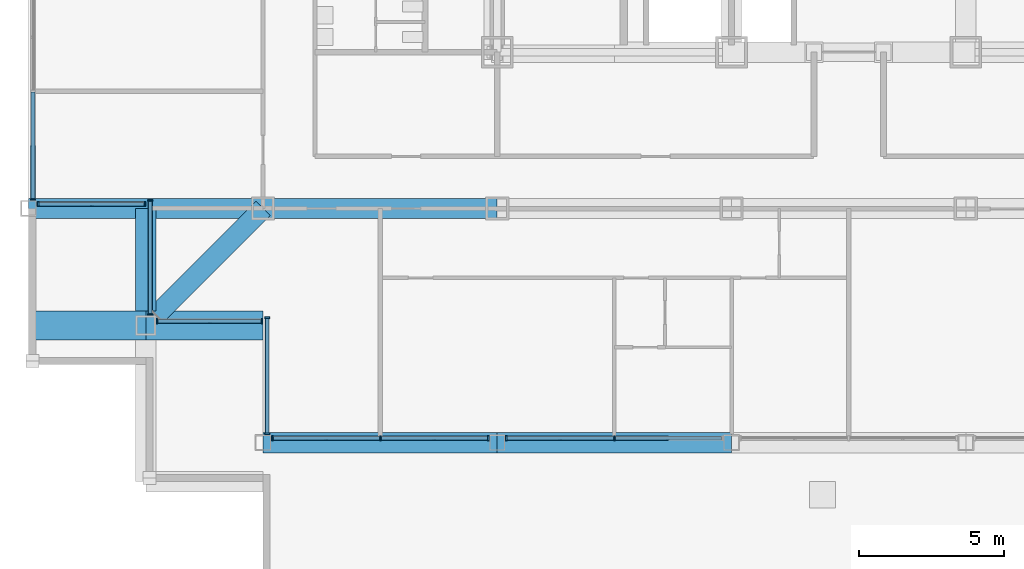
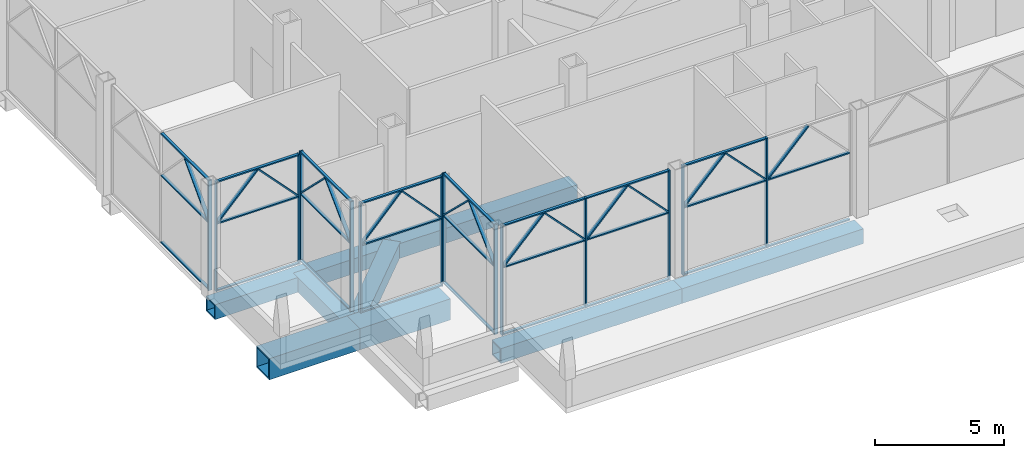
# One storey, part 2 of 29: 56 members, 8 beams, 7 elements without a shape of their own.
"""IFC4 building model written with IfcOpenShell, lengths in metres."""

from ifc_helpers import new_model, si_unit, direction, frame, origin, origin_2d, place, context, subcontext, project, spatial, rectangle, hollow_rectangle, extrude, material, material_profile, profile_set, type_object, element, aggregate, save


model = new_model("IFC4")

# Units and contexts
model_context = context("Model", 3, precision=1e-05, world=origin(), true_north=direction((0.0, 1.0)))
body_context = subcontext(model_context, "Body", "Model", "MODEL_VIEW")
ifc_project = project(units=[si_unit("LENGTHUNIT", "METRE"), si_unit("AREAUNIT", "SQUARE_METRE"), si_unit("VOLUMEUNIT", "CUBIC_METRE"), si_unit("PLANEANGLEUNIT", "RADIAN"), si_unit("MASSUNIT", "GRAM", prefix="KILO")], contexts=[model_context])

# Site, building, storey
site_placement = place(None, origin())
site = spatial("IfcSite", under=ifc_project, at=site_placement, CompositionType="ELEMENT")
building_placement = place(site_placement, origin())
building = spatial("IfcBuilding", under=site, at=building_placement, Name="Kopane Lantern Tower", CompositionType="ELEMENT")
storey_placement = place(building_placement, frame((0.0, 0.0, 165.0)))
storey = spatial("IfcBuildingStorey", under=building, at=storey_placement, Name="L42", CompositionType="ELEMENT", Elevation=165.0)

# Beams
ifc_material_1 = material(Name="Steel S355JR", Category="steel")
ifc_material_profile_1 = material_profile(ifc_material_1, hollow_rectangle(XDim=0.699951171875, YDim=0.699951171875, WallThickness=0.06005859375, at=origin_2d()), Name="BOX 700x700x60")
ifc_profile_set_1 = profile_set([ifc_material_profile_1], Name="Steel S355JR")
beam_type_1 = type_object("IfcBeamType", Name="CORNER TIE BEAM BOX 700x700x60", PredefinedType="BEAM", material=ifc_profile_set_1)
beam_1_placement = place(storey_placement, frame((4.403564453125, 15.20361328125, -0.60009765625), z_axis=(0.707130132301, 0.707083429301, 0.0), x_axis=(-0.707083429301, 0.707130132301, 0.0)))
element("IfcBeam", 1, at=beam_1_placement, inside=storey, type_object=beam_type_1, Name="Corner Tie Beam L42", PredefinedType="BEAM", context=body_context, shape_type="SweptSolid", body=[
    extrude(hollow_rectangle(XDim=0.699951171875, YDim=0.699951171875, WallThickness=0.06005859375, at=origin_2d()), origin(), (0.0, 0.0, 1.0), 5.2275390625),
])
ifc_material_2 = material(Name="Steel S355JR", Category="steel")
ifc_material_profile_2 = material_profile(ifc_material_2, hollow_rectangle(XDim=0.699951171875, YDim=0.699951171875, WallThickness=0.06005859375, at=origin_2d()), Name="BOX 700x700x60")
ifc_profile_set_2 = profile_set([ifc_material_profile_2], Name="Steel S355JR")
beam_type_2 = type_object("IfcBeamType", Name="EDGE BEAM BOX 700x700x60", PredefinedType="BEAM", material=ifc_profile_set_2)
beam_2_placement = place(storey_placement, frame((4.050048828125, 15.35009765625, -0.60009765625), z_axis=(0.0, 1.0, 0.0), x_axis=(-1.0, 0.0, 0.0)))
element("IfcBeam", 2, at=beam_2_placement, inside=storey, type_object=beam_type_2, Name="Edge Beam L42", PredefinedType="BEAM", context=body_context, shape_type="SweptSolid", body=[
    extrude(hollow_rectangle(XDim=0.699951171875, YDim=0.699951171875, WallThickness=0.06005859375, at=origin_2d()), origin(), (0.0, 0.0, 1.0), 3.5498046875),
])
ifc_material_3 = material(Name="Steel S355JR", Category="steel")
ifc_material_profile_3 = material_profile(ifc_material_3, hollow_rectangle(XDim=0.699951171875, YDim=0.699951171875, WallThickness=0.06005859375, at=origin_2d()), Name="BOX 700x700x60")
ifc_profile_set_3 = profile_set([ifc_material_profile_3], Name="Steel S355JR")
beam_type_3 = type_object("IfcBeamType", Name="GIRDER BOX 700x700x60", PredefinedType="BEAM", material=ifc_profile_set_3)
beam_3_placement = place(storey_placement, frame((0.0, 18.89990234375, -0.60009765625), z_axis=(1.0, 0.0, 0.0), x_axis=(0.0, 1.0, 0.0)))
element("IfcBeam", 3, at=beam_3_placement, inside=storey, type_object=beam_type_3, Name="Girder L42", PredefinedType="BEAM", context=body_context, shape_type="SweptSolid", body=[
    extrude(hollow_rectangle(XDim=0.699951171875, YDim=0.699951171875, WallThickness=0.06005859375, at=origin_2d()), origin(), (0.0, 0.0, 1.0), 8.10009765625),
])
for number, where, z_axis, x_axis, name in (
    (4, (8.10009765625, 10.800048828125, -0.60009765625), (1.0, 0.0, 0.0), (0.0, 1.0, 0.0), "Girder L42"),
    (5, (8.10009765625, 18.89990234375, -0.60009765625), (1.0, 0.0, 0.0), (0.0, 1.0, 0.0), "Girder L42"),
):
    element("IfcBeam", number, at=place(storey_placement, frame(where, z_axis=z_axis, x_axis=x_axis)), inside=storey, type_object=beam_type_3, Name=name, PredefinedType="BEAM", context=body_context, shape_type="SweptSolid", body=[
        extrude(hollow_rectangle(XDim=0.699951171875, YDim=0.699951171875, WallThickness=0.06005859375, at=origin_2d()), origin(), (0.0, 0.0, 1.0), 8.099853515625),
    ])
beam_4_placement = place(storey_placement, frame((16.199951171875, 10.800048828125, -0.60009765625), z_axis=(1.0, 0.0, 0.0), x_axis=(0.0, 1.0, 0.0)))
element("IfcBeam", 6, at=beam_4_placement, inside=storey, type_object=beam_type_3, Name="Girder L42", PredefinedType="BEAM", context=body_context, shape_type="SweptSolid", body=[
    extrude(hollow_rectangle(XDim=0.699951171875, YDim=0.699951171875, WallThickness=0.06005859375, at=origin_2d()), origin(), (0.0, 0.0, 1.0), 8.10009765625),
])

# Curtain wall, members
ifc_material_4 = material(Name="Aluminium and clear glass", Category="aluminium")
curtain_wall_type = type_object("IfcCurtainWallType", Name="CURTAIN WALL CW4 RESIDENCES LOBBY", PredefinedType="USERDEFINED", material=ifc_material_4)
curtain_wall_1_placement = place(storey_placement, origin())
curtain_wall_1 = element("IfcCurtainWall", 7, at=curtain_wall_1_placement, inside=storey, type_object=curtain_wall_type, Name="Curtain wall CW4 S L42", ObjectType="CURTAIN WALL", PredefinedType="USERDEFINED")
ifc_material_5 = material(Name="Aluminium", Category="aluminium")
ifc_material_profile_4 = material_profile(ifc_material_5, rectangle(XDim=0.06005859375, YDim=0.1650390625, at=origin_2d()), Name="AL 60x165")
ifc_profile_set_4 = profile_set([ifc_material_profile_4], Name="Aluminium")
member_type_1 = type_object("IfcMemberType", Name="MULLION CW4-M 60x165", PredefinedType="MULLION", material=ifc_profile_set_4)
member_1_placement = place(storey_placement, frame((8.429931640625, 10.949951171875, 0.0), z_axis=(0.0, 0.0, 1.0), x_axis=(1.0, 0.0, 0.0)))
member_1 = element("IfcMember", 8, at=member_1_placement, type_object=member_type_1, Name="CW4 mullion 1", PredefinedType="MULLION", context=body_context, shape_type="SweptSolid", body=[
    extrude(rectangle(XDim=0.06005859375, YDim=0.1650390625, at=origin_2d()), origin(), (0.0, 0.0, 1.0), 5.18994140625),
])
member_2_placement = place(storey_placement, frame((12.159912109375, 10.949951171875, 0.0), z_axis=(0.0, 0.0, 1.0), x_axis=(1.0, 0.0, 0.0)))
member_2 = element("IfcMember", 9, at=member_2_placement, type_object=member_type_1, Name="CW4 mullion 2", PredefinedType="MULLION", context=body_context, shape_type="SweptSolid", body=[
    extrude(rectangle(XDim=0.06005859375, YDim=0.1650390625, at=origin_2d()), origin(), (0.0, 0.0, 1.0), 5.18994140625),
])
member_3_placement = place(storey_placement, frame((15.889892578125, 10.949951171875, 0.0), z_axis=(0.0, 0.0, 1.0), x_axis=(1.0, 0.0, 0.0)))
member_3 = element("IfcMember", 10, at=member_3_placement, type_object=member_type_1, Name="CW4 mullion 3", PredefinedType="MULLION", context=body_context, shape_type="SweptSolid", body=[
    extrude(rectangle(XDim=0.06005859375, YDim=0.1650390625, at=origin_2d()), origin(), (0.0, 0.0, 1.0), 5.18994140625),
])
member_4_placement = place(storey_placement, frame((8.481689453125, 10.949951171875, 3.24072265625), z_axis=(0.69209585032, 0.0, 0.721805606773), x_axis=(-0.721805606773, 0.0, 0.69209585032)))
member_4 = element("IfcMember", 11, at=member_4_placement, type_object=member_type_1, Name="CW4 lancet mullion 1L", PredefinedType="MULLION", context=body_context, shape_type="SweptSolid", body=[
    extrude(rectangle(XDim=0.06005859375, YDim=0.1650390625, at=origin_2d()), origin(), (0.0, 0.0, 1.0), 2.588623046875),
])
member_5_placement = place(storey_placement, frame((12.1083984375, 10.949951171875, 3.24072265625), z_axis=(-0.692144984818, 0.0, 0.721758491458), x_axis=(0.721758491458, 0.0, 0.692144984818)))
member_5 = element("IfcMember", 12, at=member_5_placement, type_object=member_type_1, Name="CW4 lancet mullion 1R", PredefinedType="MULLION", context=body_context, shape_type="SweptSolid", body=[
    extrude(rectangle(XDim=0.06005859375, YDim=0.1650390625, at=origin_2d()), origin(), (0.0, 0.0, 1.0), 2.588623046875),
])
member_6_placement = place(storey_placement, frame((12.211669921875, 10.949951171875, 3.24072265625), z_axis=(0.692144984818, 0.0, 0.721758491458), x_axis=(-0.721758491458, 0.0, 0.692144984818)))
member_6 = element("IfcMember", 13, at=member_6_placement, type_object=member_type_1, Name="CW4 lancet mullion 2L", PredefinedType="MULLION", context=body_context, shape_type="SweptSolid", body=[
    extrude(rectangle(XDim=0.06005859375, YDim=0.1650390625, at=origin_2d()), origin(), (0.0, 0.0, 1.0), 2.588623046875),
])
member_7_placement = place(storey_placement, frame((15.83837890625, 10.949951171875, 3.24072265625), z_axis=(-0.692144984818, 0.0, 0.721758491458), x_axis=(0.721758491458, 0.0, 0.692144984818)))
member_7 = element("IfcMember", 14, at=member_7_placement, type_object=member_type_1, Name="CW4 lancet mullion 2R", PredefinedType="MULLION", context=body_context, shape_type="SweptSolid", body=[
    extrude(rectangle(XDim=0.06005859375, YDim=0.1650390625, at=origin_2d()), origin(), (0.0, 0.0, 1.0), 2.588623046875),
])

curtain_wall_2_placement = place(storey_placement, origin())
curtain_wall_2 = element("IfcCurtainWall", 15, at=curtain_wall_2_placement, inside=storey, type_object=curtain_wall_type, Name="Curtain wall CW4 S L42", ObjectType="CURTAIN WALL", PredefinedType="USERDEFINED")
member_8_placement = place(storey_placement, frame((16.510009765625, 10.949951171875, 0.0), z_axis=(0.0, 0.0, 1.0), x_axis=(1.0, 0.0, 0.0)))
member_8 = element("IfcMember", 16, at=member_8_placement, type_object=member_type_1, Name="CW4 mullion 1", PredefinedType="MULLION", context=body_context, shape_type="SweptSolid", body=[
    extrude(rectangle(XDim=0.06005859375, YDim=0.1650390625, at=origin_2d()), origin(), (0.0, 0.0, 1.0), 5.18994140625),
])
member_9_placement = place(storey_placement, frame((20.25, 10.949951171875, 0.0), z_axis=(0.0, 0.0, 1.0), x_axis=(1.0, 0.0, 0.0)))
member_9 = element("IfcMember", 17, at=member_9_placement, type_object=member_type_1, Name="CW4 mullion 2", PredefinedType="MULLION", context=body_context, shape_type="SweptSolid", body=[
    extrude(rectangle(XDim=0.06005859375, YDim=0.1650390625, at=origin_2d()), origin(), (0.0, 0.0, 1.0), 5.18994140625),
])
member_10_placement = place(storey_placement, frame((16.5615234375, 10.949951171875, 3.24072265625), z_axis=(0.693174589614, 0.0, 0.720769719337), x_axis=(-0.720769719337, 0.0, 0.693174589614)))
member_10 = element("IfcMember", 18, at=member_10_placement, type_object=member_type_1, Name="CW4 lancet mullion 1L", PredefinedType="MULLION", context=body_context, shape_type="SweptSolid", body=[
    extrude(rectangle(XDim=0.06005859375, YDim=0.1650390625, at=origin_2d()), origin(), (0.0, 0.0, 1.0), 2.59228515625),
])
member_11_placement = place(storey_placement, frame((20.198486328125, 10.949951171875, 3.24072265625), z_axis=(-0.693174589614, 0.0, 0.720769719337), x_axis=(0.720769719337, 0.0, 0.693174589614)))
member_11 = element("IfcMember", 19, at=member_11_placement, type_object=member_type_1, Name="CW4 lancet mullion 1R", PredefinedType="MULLION", context=body_context, shape_type="SweptSolid", body=[
    extrude(rectangle(XDim=0.06005859375, YDim=0.1650390625, at=origin_2d()), origin(), (0.0, 0.0, 1.0), 2.59228515625),
])
member_12_placement = place(storey_placement, frame((20.301513671875, 10.949951171875, 3.24072265625), z_axis=(0.693174589614, 0.0, 0.720769719337), x_axis=(-0.720769719337, 0.0, 0.693174589614)))
member_12 = element("IfcMember", 20, at=member_12_placement, type_object=member_type_1, Name="CW4 lancet mullion 2L", PredefinedType="MULLION", context=body_context, shape_type="SweptSolid", body=[
    extrude(rectangle(XDim=0.06005859375, YDim=0.1650390625, at=origin_2d()), origin(), (0.0, 0.0, 1.0), 2.59228515625),
])

curtain_wall_3_placement = place(storey_placement, origin())
curtain_wall_3 = element("IfcCurtainWall", 21, at=curtain_wall_3_placement, inside=storey, type_object=curtain_wall_type, Name="Curtain wall CW4 W L42", ObjectType="CURTAIN WALL", PredefinedType="USERDEFINED")
member_13_placement = place(storey_placement, frame((0.14990234375, 19.2099609375, 0.0), z_axis=(0.0, 0.0, 1.0), x_axis=(0.0, -1.0, 0.0)))
member_13 = element("IfcMember", 22, at=member_13_placement, type_object=member_type_1, Name="CW4 mullion 3", PredefinedType="MULLION", context=body_context, shape_type="SweptSolid", body=[
    extrude(rectangle(XDim=0.06005859375, YDim=0.1650390625, at=origin_2d()), origin(), (0.0, 0.0, 1.0), 5.18994140625),
])
member_14_placement = place(storey_placement, frame((0.14990234375, 19.26171875, 3.24072265625), z_axis=(0.0, 0.693125656775, 0.720816775554), x_axis=(0.0, -0.720816775554, 0.693125656775)))
member_14 = element("IfcMember", 23, at=member_14_placement, type_object=member_type_1, Name="CW4 lancet mullion 2R", PredefinedType="MULLION", context=body_context, shape_type="SweptSolid", body=[
    extrude(rectangle(XDim=0.06005859375, YDim=0.1650390625, at=origin_2d()), origin(), (0.0, 0.0, 1.0), 2.592041015625),
])

curtain_wall_4_placement = place(storey_placement, origin())
curtain_wall_4 = element("IfcCurtainWall", 24, at=curtain_wall_4_placement, inside=storey, type_object=curtain_wall_type, Name="Curtain wall CW4 S L42", ObjectType="CURTAIN WALL", PredefinedType="USERDEFINED")
member_15_placement = place(storey_placement, frame((0.330078125, 19.050048828125, 0.0), z_axis=(0.0, 0.0, 1.0), x_axis=(1.0, 0.0, 0.0)))
member_15 = element("IfcMember", 25, at=member_15_placement, type_object=member_type_1, Name="CW4 mullion 1", PredefinedType="MULLION", context=body_context, shape_type="SweptSolid", body=[
    extrude(rectangle(XDim=0.06005859375, YDim=0.1650390625, at=origin_2d()), origin(), (0.0, 0.0, 1.0), 5.18994140625),
])
member_16_placement = place(storey_placement, frame((4.02001953125, 19.050048828125, 0.0), z_axis=(0.0, 0.0, 1.0), x_axis=(1.0, 0.0, 0.0)))
member_16 = element("IfcMember", 26, at=member_16_placement, type_object=member_type_1, Name="CW4 mullion 2", PredefinedType="MULLION", context=body_context, shape_type="SweptSolid", body=[
    extrude(rectangle(XDim=0.06005859375, YDim=0.1650390625, at=origin_2d()), origin(), (0.0, 0.0, 1.0), 5.18994140625),
])
member_17_placement = place(storey_placement, frame((0.3818359375, 19.050048828125, 3.240478515625), z_axis=(0.687939225312, 0.0, 0.725768297928), x_axis=(-0.725768297928, 0.0, 0.687939225312)))
member_17 = element("IfcMember", 27, at=member_17_placement, type_object=member_type_1, Name="CW4 lancet mullion 1L", PredefinedType="MULLION", context=body_context, shape_type="SweptSolid", body=[
    extrude(rectangle(XDim=0.06005859375, YDim=0.1650390625, at=origin_2d()), origin(), (0.0, 0.0, 1.0), 2.574951171875),
])
member_18_placement = place(storey_placement, frame((3.96826171875, 19.050048828125, 3.240478515625), z_axis=(-0.687939225312, 0.0, 0.725768297928), x_axis=(0.725768297928, 0.0, 0.687939225312)))
member_18 = element("IfcMember", 28, at=member_18_placement, type_object=member_type_1, Name="CW4 lancet mullion 1R", PredefinedType="MULLION", context=body_context, shape_type="SweptSolid", body=[
    extrude(rectangle(XDim=0.06005859375, YDim=0.1650390625, at=origin_2d()), origin(), (0.0, 0.0, 1.0), 2.574951171875),
])

curtain_wall_5_placement = place(storey_placement, origin())
curtain_wall_5 = element("IfcCurtainWall", 29, at=curtain_wall_5_placement, inside=storey, type_object=curtain_wall_type, Name="Curtain wall CW4 W L42", ObjectType="CURTAIN WALL", PredefinedType="USERDEFINED")
member_19_placement = place(storey_placement, frame((4.199951171875, 19.169921875, 0.0), z_axis=(0.0, 0.0, 1.0), x_axis=(0.0, -1.0, 0.0)))
member_19 = element("IfcMember", 30, at=member_19_placement, type_object=member_type_1, Name="CW4 mullion 1", PredefinedType="MULLION", context=body_context, shape_type="SweptSolid", body=[
    extrude(rectangle(XDim=0.06005859375, YDim=0.1650390625, at=origin_2d()), origin(), (0.0, 0.0, 1.0), 5.18994140625),
])
member_20_placement = place(storey_placement, frame((4.199951171875, 15.235107421875, 0.0), z_axis=(0.0, 0.0, 1.0), x_axis=(0.0, -1.0, 0.0)))
member_20 = element("IfcMember", 31, at=member_20_placement, type_object=member_type_1, Name="CW4 mullion 2", PredefinedType="MULLION", context=body_context, shape_type="SweptSolid", body=[
    extrude(rectangle(XDim=0.06005859375, YDim=0.1650390625, at=origin_2d()), origin(), (0.0, 0.0, 1.0), 5.18994140625),
])
member_21_placement = place(storey_placement, frame((4.199951171875, 19.118896484375, 3.241455078125), z_axis=(0.0, -0.712363521538, 0.701810667618), x_axis=(0.0, 0.701810667618, 0.712363521538)))
member_21 = element("IfcMember", 32, at=member_21_placement, type_object=member_type_1, Name="CW4 lancet mullion 1L", PredefinedType="MULLION", context=body_context, shape_type="SweptSolid", body=[
    extrude(rectangle(XDim=0.06005859375, YDim=0.1650390625, at=origin_2d()), origin(), (0.0, 0.0, 1.0), 2.66064453125),
])
member_22_placement = place(storey_placement, frame((4.199951171875, 15.2861328125, 3.241455078125), z_axis=(0.0, 0.712363521538, 0.701810667618), x_axis=(0.0, -0.701810667618, 0.712363521538)))
member_22 = element("IfcMember", 33, at=member_22_placement, type_object=member_type_1, Name="CW4 lancet mullion 1R", PredefinedType="MULLION", context=body_context, shape_type="SweptSolid", body=[
    extrude(rectangle(XDim=0.06005859375, YDim=0.1650390625, at=origin_2d()), origin(), (0.0, 0.0, 1.0), 2.66064453125),
])

curtain_wall_6_placement = place(storey_placement, origin())
curtain_wall_6 = element("IfcCurtainWall", 34, at=curtain_wall_6_placement, inside=storey, type_object=curtain_wall_type, Name="Curtain wall CW4 S L42", ObjectType="CURTAIN WALL", PredefinedType="USERDEFINED")
member_23_placement = place(storey_placement, frame((4.43505859375, 15.0, 0.0), z_axis=(0.0, 0.0, 1.0), x_axis=(1.0, 0.0, 0.0)))
member_23 = element("IfcMember", 35, at=member_23_placement, type_object=member_type_1, Name="CW4 mullion 1", PredefinedType="MULLION", context=body_context, shape_type="SweptSolid", body=[
    extrude(rectangle(XDim=0.06005859375, YDim=0.1650390625, at=origin_2d()), origin(), (0.0, 0.0, 1.0), 5.18994140625),
])
member_24_placement = place(storey_placement, frame((8.070068359375, 15.0, 0.0), z_axis=(0.0, 0.0, 1.0), x_axis=(1.0, 0.0, 0.0)))
member_24 = element("IfcMember", 36, at=member_24_placement, type_object=member_type_1, Name="CW4 mullion 2", PredefinedType="MULLION", context=body_context, shape_type="SweptSolid", body=[
    extrude(rectangle(XDim=0.06005859375, YDim=0.1650390625, at=origin_2d()), origin(), (0.0, 0.0, 1.0), 5.18994140625),
])
member_25_placement = place(storey_placement, frame((4.48681640625, 15.0, 3.240478515625), z_axis=(0.68218553157, 0.0, 0.731179116576), x_axis=(-0.731179116576, 0.0, 0.68218553157)))
member_25 = element("IfcMember", 37, at=member_25_placement, type_object=member_type_1, Name="CW4 lancet mullion 1L", PredefinedType="MULLION", context=body_context, shape_type="SweptSolid", body=[
    extrude(rectangle(XDim=0.06005859375, YDim=0.1650390625, at=origin_2d()), origin(), (0.0, 0.0, 1.0), 2.556396484375),
])
member_26_placement = place(storey_placement, frame((8.01806640625, 15.0, 3.240478515625), z_axis=(-0.68213446792, 0.0, 0.731226755306), x_axis=(0.731226755306, 0.0, 0.68213446792)))
member_26 = element("IfcMember", 38, at=member_26_placement, type_object=member_type_1, Name="CW4 lancet mullion 1R", PredefinedType="MULLION", context=body_context, shape_type="SweptSolid", body=[
    extrude(rectangle(XDim=0.06005859375, YDim=0.1650390625, at=origin_2d()), origin(), (0.0, 0.0, 1.0), 2.55615234375),
])

curtain_wall_7_placement = place(storey_placement, origin())
curtain_wall_7 = element("IfcCurtainWall", 39, at=curtain_wall_7_placement, inside=storey, type_object=curtain_wall_type, Name="Curtain wall CW4 W L42", ObjectType="CURTAIN WALL", PredefinedType="USERDEFINED")
member_27_placement = place(storey_placement, frame((8.25, 15.1201171875, 0.0), z_axis=(0.0, 0.0, 1.0), x_axis=(0.0, -1.0, 0.0)))
member_27 = element("IfcMember", 40, at=member_27_placement, type_object=member_type_1, Name="CW4 mullion 1", PredefinedType="MULLION", context=body_context, shape_type="SweptSolid", body=[
    extrude(rectangle(XDim=0.06005859375, YDim=0.1650390625, at=origin_2d()), origin(), (0.0, 0.0, 1.0), 5.18994140625),
])
member_28_placement = place(storey_placement, frame((8.25, 11.110107421875, 0.0), z_axis=(0.0, 0.0, 1.0), x_axis=(0.0, -1.0, 0.0)))
member_28 = element("IfcMember", 41, at=member_28_placement, type_object=member_type_1, Name="CW4 mullion 2", PredefinedType="MULLION", context=body_context, shape_type="SweptSolid", body=[
    extrude(rectangle(XDim=0.06005859375, YDim=0.1650390625, at=origin_2d()), origin(), (0.0, 0.0, 1.0), 5.18994140625),
])
member_29_placement = place(storey_placement, frame((8.25, 15.069091796875, 3.24169921875), z_axis=(0.0, -0.719398329966, 0.694597756146), x_axis=(0.0, 0.694597756146, 0.719398329966)))
member_29 = element("IfcMember", 42, at=member_29_placement, type_object=member_type_1, Name="CW4 lancet mullion 1L", PredefinedType="MULLION", context=body_context, shape_type="SweptSolid", body=[
    extrude(rectangle(XDim=0.06005859375, YDim=0.1650390625, at=origin_2d()), origin(), (0.0, 0.0, 1.0), 2.6875),
])
member_30_placement = place(storey_placement, frame((8.25, 11.160888671875, 3.24169921875), z_axis=(0.0, 0.719398329966, 0.694597756146), x_axis=(0.0, -0.694597756146, 0.719398329966)))
member_30 = element("IfcMember", 43, at=member_30_placement, type_object=member_type_1, Name="CW4 lancet mullion 1R", PredefinedType="MULLION", context=body_context, shape_type="SweptSolid", body=[
    extrude(rectangle(XDim=0.06005859375, YDim=0.1650390625, at=origin_2d()), origin(), (0.0, 0.0, 1.0), 2.6875),
])

# Beams
ifc_material_6 = material(Name="Steel S355JR", Category="steel")
ifc_material_profile_5 = material_profile(ifc_material_6, hollow_rectangle(XDim=1.0, YDim=1.0, WallThickness=0.06005859375, at=origin_2d()), Name="BOX 1000x1000x60")
ifc_profile_set_5 = profile_set([ifc_material_profile_5], Name="Steel S355JR")
beam_type_4 = type_object("IfcBeamType", Name="TRANSFER BEAM BOX 1000x1000x60", PredefinedType="BEAM", material=ifc_profile_set_5)
for number, where, z_axis, x_axis, name in (
    (44, (0.0, 14.85009765625, -0.75), (1.0, 0.0, 0.0), (0.0, 1.0, 0.0), "Transfer Beam L42"),
    (45, (4.050048828125, 14.85009765625, -0.75), (1.0, 0.0, 0.0), (0.0, 1.0, 0.0), "Transfer Beam L42"),
):
    element("IfcBeam", number, at=place(storey_placement, frame(where, z_axis=z_axis, x_axis=x_axis)), inside=storey, type_object=beam_type_4, Name=name, PredefinedType="BEAM", context=body_context, shape_type="SweptSolid", body=[
        extrude(hollow_rectangle(XDim=1.0, YDim=1.0, WallThickness=0.06005859375, at=origin_2d()), origin(), (0.0, 0.0, 1.0), 4.050048828125),
    ])

# Member
ifc_material_7 = material(Name="Aluminium", Category="aluminium")
ifc_material_profile_6 = material_profile(ifc_material_7, rectangle(XDim=0.125, YDim=0.06005859375, at=origin_2d()), Name="AL 125x60")
ifc_profile_set_6 = profile_set([ifc_material_profile_6], Name="Aluminium")
member_type_2 = type_object("IfcMemberType", Name="TRANSOM CW4-T 60x125", PredefinedType="USERDEFINED", material=ifc_profile_set_6)
member_31_placement = place(storey_placement, frame((8.4599609375, 10.949951171875, 0.030029296875), z_axis=(1.0, 0.0, 0.0), x_axis=(0.0, 1.0, 0.0)))
member_31 = element("IfcMember", 46, at=member_31_placement, type_object=member_type_2, Name="CW4 transom 1.1", ObjectType="TRANSOM", PredefinedType="USERDEFINED", context=body_context, shape_type="SweptSolid", body=[
    extrude(rectangle(XDim=0.125, YDim=0.06005859375, at=origin_2d()), origin(), (0.0, 0.0, 1.0), 3.669921875),
])

member_32_placement = place(storey_placement, frame((8.4599609375, 10.949951171875, 3.18994140625), z_axis=(1.0, 0.0, 0.0), x_axis=(0.0, 1.0, 0.0)))
member_32 = element("IfcMember", 47, at=member_32_placement, type_object=member_type_2, Name="CW4 transom 1.2", ObjectType="TRANSOM", PredefinedType="USERDEFINED", context=body_context, shape_type="SweptSolid", body=[
    extrude(rectangle(XDim=0.125, YDim=0.06005859375, at=origin_2d()), origin(), (0.0, 0.0, 1.0), 3.669921875),
])

member_33_placement = place(storey_placement, frame((8.4599609375, 10.949951171875, 5.159912109375), z_axis=(1.0, 0.0, 0.0), x_axis=(0.0, 1.0, 0.0)))
member_33 = element("IfcMember", 48, at=member_33_placement, type_object=member_type_2, Name="CW4 transom 1.3", ObjectType="TRANSOM", PredefinedType="USERDEFINED", context=body_context, shape_type="SweptSolid", body=[
    extrude(rectangle(XDim=0.125, YDim=0.06005859375, at=origin_2d()), origin(), (0.0, 0.0, 1.0), 3.669921875),
])

member_34_placement = place(storey_placement, frame((12.18994140625, 10.949951171875, 0.030029296875), z_axis=(1.0, 0.0, 0.0), x_axis=(0.0, 1.0, 0.0)))
member_34 = element("IfcMember", 49, at=member_34_placement, type_object=member_type_2, Name="CW4 transom 2.1", ObjectType="TRANSOM", PredefinedType="USERDEFINED", context=body_context, shape_type="SweptSolid", body=[
    extrude(rectangle(XDim=0.125, YDim=0.06005859375, at=origin_2d()), origin(), (0.0, 0.0, 1.0), 3.670166015625),
])

member_35_placement = place(storey_placement, frame((12.18994140625, 10.949951171875, 3.18994140625), z_axis=(1.0, 0.0, 0.0), x_axis=(0.0, 1.0, 0.0)))
member_35 = element("IfcMember", 50, at=member_35_placement, type_object=member_type_2, Name="CW4 transom 2.2", ObjectType="TRANSOM", PredefinedType="USERDEFINED", context=body_context, shape_type="SweptSolid", body=[
    extrude(rectangle(XDim=0.125, YDim=0.06005859375, at=origin_2d()), origin(), (0.0, 0.0, 1.0), 3.670166015625),
])

member_36_placement = place(storey_placement, frame((12.18994140625, 10.949951171875, 5.159912109375), z_axis=(1.0, 0.0, 0.0), x_axis=(0.0, 1.0, 0.0)))
member_36 = element("IfcMember", 51, at=member_36_placement, type_object=member_type_2, Name="CW4 transom 2.3", ObjectType="TRANSOM", PredefinedType="USERDEFINED", context=body_context, shape_type="SweptSolid", body=[
    extrude(rectangle(XDim=0.125, YDim=0.06005859375, at=origin_2d()), origin(), (0.0, 0.0, 1.0), 3.670166015625),
])

aggregate(curtain_wall_1, [member_1, member_2, member_3, member_31, member_32, member_33, member_34, member_35, member_36, member_4, member_5, member_6, member_7])

member_37_placement = place(storey_placement, frame((16.5400390625, 10.949951171875, 0.030029296875), z_axis=(1.0, 0.0, 0.0), x_axis=(0.0, 1.0, 0.0)))
member_37 = element("IfcMember", 52, at=member_37_placement, type_object=member_type_2, Name="CW4 transom 1.1", ObjectType="TRANSOM", PredefinedType="USERDEFINED", context=body_context, shape_type="SweptSolid", body=[
    extrude(rectangle(XDim=0.125, YDim=0.06005859375, at=origin_2d()), origin(), (0.0, 0.0, 1.0), 3.679931640625),
])

member_38_placement = place(storey_placement, frame((16.5400390625, 10.949951171875, 3.18994140625), z_axis=(1.0, 0.0, 0.0), x_axis=(0.0, 1.0, 0.0)))
member_38 = element("IfcMember", 53, at=member_38_placement, type_object=member_type_2, Name="CW4 transom 1.2", ObjectType="TRANSOM", PredefinedType="USERDEFINED", context=body_context, shape_type="SweptSolid", body=[
    extrude(rectangle(XDim=0.125, YDim=0.06005859375, at=origin_2d()), origin(), (0.0, 0.0, 1.0), 3.679931640625),
])

member_39_placement = place(storey_placement, frame((16.5400390625, 10.949951171875, 5.159912109375), z_axis=(1.0, 0.0, 0.0), x_axis=(0.0, 1.0, 0.0)))
member_39 = element("IfcMember", 54, at=member_39_placement, type_object=member_type_2, Name="CW4 transom 1.3", ObjectType="TRANSOM", PredefinedType="USERDEFINED", context=body_context, shape_type="SweptSolid", body=[
    extrude(rectangle(XDim=0.125, YDim=0.06005859375, at=origin_2d()), origin(), (0.0, 0.0, 1.0), 3.679931640625),
])

member_40_placement = place(storey_placement, frame((20.280029296875, 10.949951171875, 0.030029296875), z_axis=(1.0, 0.0, 0.0), x_axis=(0.0, 1.0, 0.0)))
member_40 = element("IfcMember", 55, at=member_40_placement, type_object=member_type_2, Name="CW4 transom 2.1", ObjectType="TRANSOM", PredefinedType="USERDEFINED", context=body_context, shape_type="SweptSolid", body=[
    extrude(rectangle(XDim=0.125, YDim=0.06005859375, at=origin_2d()), origin(), (0.0, 0.0, 1.0), 3.679931640625),
])

member_41_placement = place(storey_placement, frame((20.280029296875, 10.949951171875, 3.18994140625), z_axis=(1.0, 0.0, 0.0), x_axis=(0.0, 1.0, 0.0)))
member_41 = element("IfcMember", 56, at=member_41_placement, type_object=member_type_2, Name="CW4 transom 2.2", ObjectType="TRANSOM", PredefinedType="USERDEFINED", context=body_context, shape_type="SweptSolid", body=[
    extrude(rectangle(XDim=0.125, YDim=0.06005859375, at=origin_2d()), origin(), (0.0, 0.0, 1.0), 3.679931640625),
])

aggregate(curtain_wall_2, [member_8, member_9, member_37, member_38, member_39, member_40, member_41, member_10, member_11, member_12])

member_42_placement = place(storey_placement, frame((0.14990234375, 22.919921875, 0.030029296875), z_axis=(0.0, -1.0, 0.0), x_axis=(1.0, 0.0, 0.0)))
member_42 = element("IfcMember", 57, at=member_42_placement, type_object=member_type_2, Name="CW4 transom 2.1", ObjectType="TRANSOM", PredefinedType="USERDEFINED", context=body_context, shape_type="SweptSolid", body=[
    extrude(rectangle(XDim=0.125, YDim=0.06005859375, at=origin_2d()), origin(), (0.0, 0.0, 1.0), 3.679931640625),
])

member_43_placement = place(storey_placement, frame((0.14990234375, 22.919921875, 3.18994140625), z_axis=(0.0, -1.0, 0.0), x_axis=(1.0, 0.0, 0.0)))
member_43 = element("IfcMember", 58, at=member_43_placement, type_object=member_type_2, Name="CW4 transom 2.2", ObjectType="TRANSOM", PredefinedType="USERDEFINED", context=body_context, shape_type="SweptSolid", body=[
    extrude(rectangle(XDim=0.125, YDim=0.06005859375, at=origin_2d()), origin(), (0.0, 0.0, 1.0), 3.679931640625),
])

member_44_placement = place(storey_placement, frame((0.14990234375, 22.919921875, 5.159912109375), z_axis=(0.0, -1.0, 0.0), x_axis=(1.0, 0.0, 0.0)))
member_44 = element("IfcMember", 59, at=member_44_placement, type_object=member_type_2, Name="CW4 transom 2.3", ObjectType="TRANSOM", PredefinedType="USERDEFINED", context=body_context, shape_type="SweptSolid", body=[
    extrude(rectangle(XDim=0.125, YDim=0.06005859375, at=origin_2d()), origin(), (0.0, 0.0, 1.0), 3.679931640625),
])

aggregate(curtain_wall_3, [member_13, member_42, member_43, member_44, member_14])

member_45_placement = place(storey_placement, frame((0.360107421875, 19.050048828125, 0.030029296875), z_axis=(1.0, 0.0, 0.0), x_axis=(0.0, 1.0, 0.0)))
member_45 = element("IfcMember", 60, at=member_45_placement, type_object=member_type_2, Name="CW4 transom 1.1", ObjectType="TRANSOM", PredefinedType="USERDEFINED", context=body_context, shape_type="SweptSolid", body=[
    extrude(rectangle(XDim=0.125, YDim=0.06005859375, at=origin_2d()), origin(), (0.0, 0.0, 1.0), 3.6298828125),
])

member_46_placement = place(storey_placement, frame((0.360107421875, 19.050048828125, 3.18994140625), z_axis=(1.0, 0.0, 0.0), x_axis=(0.0, 1.0, 0.0)))
member_46 = element("IfcMember", 61, at=member_46_placement, type_object=member_type_2, Name="CW4 transom 1.2", ObjectType="TRANSOM", PredefinedType="USERDEFINED", context=body_context, shape_type="SweptSolid", body=[
    extrude(rectangle(XDim=0.125, YDim=0.06005859375, at=origin_2d()), origin(), (0.0, 0.0, 1.0), 3.6298828125),
])

member_47_placement = place(storey_placement, frame((0.360107421875, 19.050048828125, 5.159912109375), z_axis=(1.0, 0.0, 0.0), x_axis=(0.0, 1.0, 0.0)))
member_47 = element("IfcMember", 62, at=member_47_placement, type_object=member_type_2, Name="CW4 transom 1.3", ObjectType="TRANSOM", PredefinedType="USERDEFINED", context=body_context, shape_type="SweptSolid", body=[
    extrude(rectangle(XDim=0.125, YDim=0.06005859375, at=origin_2d()), origin(), (0.0, 0.0, 1.0), 3.6298828125),
])

aggregate(curtain_wall_4, [member_15, member_16, member_45, member_46, member_47, member_17, member_18])

member_48_placement = place(storey_placement, frame((4.199951171875, 19.139892578125, 0.030029296875), z_axis=(0.0, -1.0, 0.0), x_axis=(1.0, 0.0, 0.0)))
member_48 = element("IfcMember", 63, at=member_48_placement, type_object=member_type_2, Name="CW4 transom 1.1", ObjectType="TRANSOM", PredefinedType="USERDEFINED", context=body_context, shape_type="SweptSolid", body=[
    extrude(rectangle(XDim=0.125, YDim=0.06005859375, at=origin_2d()), origin(), (0.0, 0.0, 1.0), 3.875),
])

member_49_placement = place(storey_placement, frame((4.199951171875, 19.139892578125, 3.18994140625), z_axis=(0.0, -1.0, 0.0), x_axis=(1.0, 0.0, 0.0)))
member_49 = element("IfcMember", 64, at=member_49_placement, type_object=member_type_2, Name="CW4 transom 1.2", ObjectType="TRANSOM", PredefinedType="USERDEFINED", context=body_context, shape_type="SweptSolid", body=[
    extrude(rectangle(XDim=0.125, YDim=0.06005859375, at=origin_2d()), origin(), (0.0, 0.0, 1.0), 3.875),
])

member_50_placement = place(storey_placement, frame((4.199951171875, 19.139892578125, 5.159912109375), z_axis=(0.0, -1.0, 0.0), x_axis=(1.0, 0.0, 0.0)))
member_50 = element("IfcMember", 65, at=member_50_placement, type_object=member_type_2, Name="CW4 transom 1.3", ObjectType="TRANSOM", PredefinedType="USERDEFINED", context=body_context, shape_type="SweptSolid", body=[
    extrude(rectangle(XDim=0.125, YDim=0.06005859375, at=origin_2d()), origin(), (0.0, 0.0, 1.0), 3.875),
])

aggregate(curtain_wall_5, [member_19, member_20, member_48, member_49, member_50, member_21, member_22])

member_51_placement = place(storey_placement, frame((4.465087890625, 15.0, 0.030029296875), z_axis=(1.0, 0.0, 0.0), x_axis=(0.0, 1.0, 0.0)))
member_51 = element("IfcMember", 66, at=member_51_placement, type_object=member_type_2, Name="CW4 transom 1.1", ObjectType="TRANSOM", PredefinedType="USERDEFINED", context=body_context, shape_type="SweptSolid", body=[
    extrude(rectangle(XDim=0.125, YDim=0.06005859375, at=origin_2d()), origin(), (0.0, 0.0, 1.0), 3.574951171875),
])

member_52_placement = place(storey_placement, frame((4.465087890625, 15.0, 3.18994140625), z_axis=(1.0, 0.0, 0.0), x_axis=(0.0, 1.0, 0.0)))
member_52 = element("IfcMember", 67, at=member_52_placement, type_object=member_type_2, Name="CW4 transom 1.2", ObjectType="TRANSOM", PredefinedType="USERDEFINED", context=body_context, shape_type="SweptSolid", body=[
    extrude(rectangle(XDim=0.125, YDim=0.06005859375, at=origin_2d()), origin(), (0.0, 0.0, 1.0), 3.574951171875),
])

member_53_placement = place(storey_placement, frame((4.465087890625, 15.0, 5.159912109375), z_axis=(1.0, 0.0, 0.0), x_axis=(0.0, 1.0, 0.0)))
member_53 = element("IfcMember", 68, at=member_53_placement, type_object=member_type_2, Name="CW4 transom 1.3", ObjectType="TRANSOM", PredefinedType="USERDEFINED", context=body_context, shape_type="SweptSolid", body=[
    extrude(rectangle(XDim=0.125, YDim=0.06005859375, at=origin_2d()), origin(), (0.0, 0.0, 1.0), 3.574951171875),
])

aggregate(curtain_wall_6, [member_23, member_24, member_51, member_52, member_53, member_25, member_26])

member_54_placement = place(storey_placement, frame((8.25, 15.090087890625, 0.030029296875), z_axis=(0.0, -1.0, 0.0), x_axis=(1.0, 0.0, 0.0)))
member_54 = element("IfcMember", 69, at=member_54_placement, type_object=member_type_2, Name="CW4 transom 1.1", ObjectType="TRANSOM", PredefinedType="USERDEFINED", context=body_context, shape_type="SweptSolid", body=[
    extrude(rectangle(XDim=0.125, YDim=0.06005859375, at=origin_2d()), origin(), (0.0, 0.0, 1.0), 3.9501953125),
])

member_55_placement = place(storey_placement, frame((8.25, 15.090087890625, 3.18994140625), z_axis=(0.0, -1.0, 0.0), x_axis=(1.0, 0.0, 0.0)))
member_55 = element("IfcMember", 70, at=member_55_placement, type_object=member_type_2, Name="CW4 transom 1.2", ObjectType="TRANSOM", PredefinedType="USERDEFINED", context=body_context, shape_type="SweptSolid", body=[
    extrude(rectangle(XDim=0.125, YDim=0.06005859375, at=origin_2d()), origin(), (0.0, 0.0, 1.0), 3.9501953125),
])

member_56_placement = place(storey_placement, frame((8.25, 15.090087890625, 5.159912109375), z_axis=(0.0, -1.0, 0.0), x_axis=(1.0, 0.0, 0.0)))
member_56 = element("IfcMember", 71, at=member_56_placement, type_object=member_type_2, Name="CW4 transom 1.3", ObjectType="TRANSOM", PredefinedType="USERDEFINED", context=body_context, shape_type="SweptSolid", body=[
    extrude(rectangle(XDim=0.125, YDim=0.06005859375, at=origin_2d()), origin(), (0.0, 0.0, 1.0), 3.9501953125),
])

aggregate(curtain_wall_7, [member_27, member_28, member_54, member_55, member_56, member_29, member_30])

save(model, "model.ifc")
